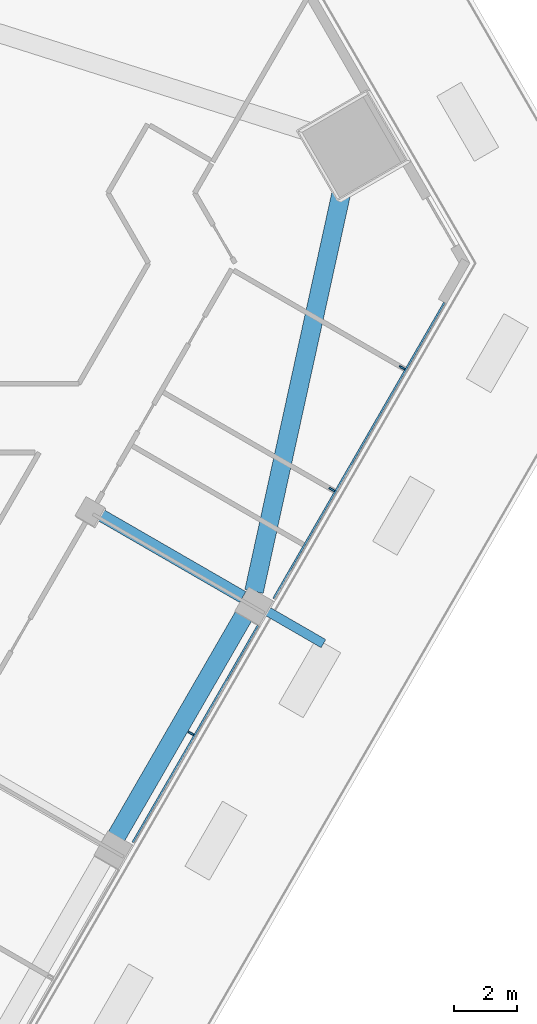
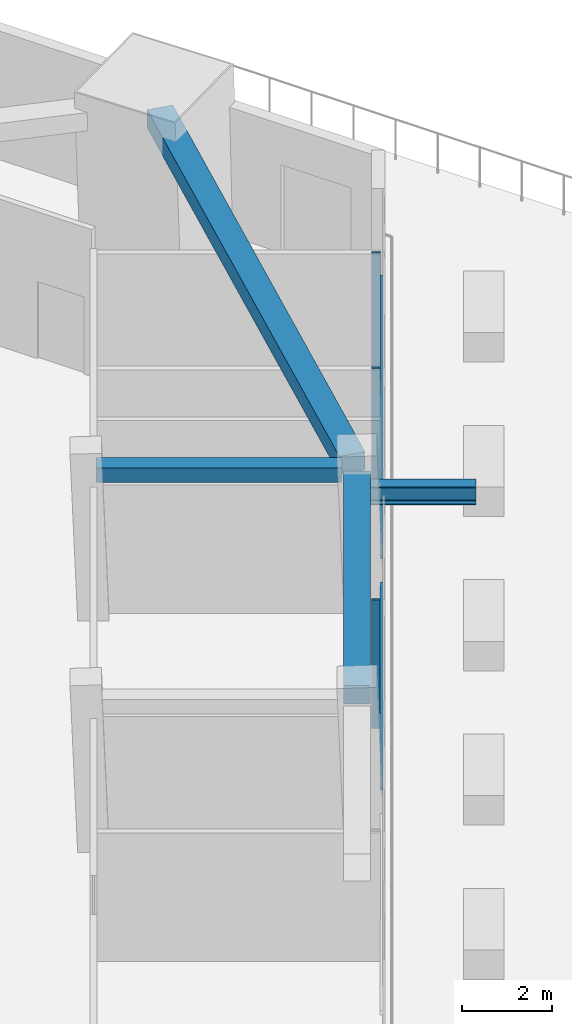
# One storey, part 5 of 15: 6 members, 3 beams, 1 element without a shape of its own.
"""IFC4 building model written with IfcOpenShell, lengths in metres."""

from ifc_helpers import new_model, si_unit, direction, frame, origin, origin_2d, place, context, subcontext, project, spatial, rectangle, i_section, extrude, material, layer, layer_set, material_profile, profile_set, type_object, element, aggregate, save


model = new_model("IFC4")

# Units and contexts
model_context = context("Model", 3, precision=1e-05, world=origin(), true_north=direction((0.0, 1.0)))
body_context = subcontext(model_context, "Body", "Model", "MODEL_VIEW")
ifc_project = project(units=[si_unit("LENGTHUNIT", "METRE"), si_unit("AREAUNIT", "SQUARE_METRE"), si_unit("VOLUMEUNIT", "CUBIC_METRE"), si_unit("PLANEANGLEUNIT", "RADIAN"), si_unit("MASSUNIT", "GRAM", prefix="KILO")], contexts=[model_context])

# Site, building, storey
site_placement = place(None, origin())
site = spatial("IfcSite", under=ifc_project, at=site_placement, CompositionType="ELEMENT")
building_placement = place(site_placement, origin())
building = spatial("IfcBuilding", under=site, at=building_placement, Name="Altiplano Prism Tower", CompositionType="ELEMENT")
storey_placement = place(building_placement, frame((0.0, 0.0, 22.5)))
storey = spatial("IfcBuildingStorey", under=building, at=storey_placement, Name="L04", CompositionType="ELEMENT", Elevation=22.5)

# Member
ifc_material_1 = material(Name="Steel S355", Category="steel")
ifc_material_profile_1 = material_profile(ifc_material_1, i_section(OverallWidth=0.300048828125, OverallDepth=0.5, WebThickness=0.014404296875, FlangeThickness=0.028076171875, FilletRadius=0.027099609375, at=origin_2d()), Name="Brace bracket HEB 500")
ifc_profile_set_1 = profile_set([ifc_material_profile_1], Name="Steel S355")
member_type_1 = type_object("IfcMemberType", Name="Brace bracket HEB 500", PredefinedType="STRUT", material=ifc_profile_set_1)
member_1_placement = place(storey_placement, frame((109.546875, 85.416259765625, 3.197265625), z_axis=(0.866029095148, -0.499993606316, 0.0), x_axis=(0.499993606316, 0.866029095148, 0.0)))
element("IfcMember", 1, at=member_1_placement, inside=storey, type_object=member_type_1, Name="Brace bracket 2.27", PredefinedType="STRUT", context=body_context, shape_type="SweptSolid", body=[
    extrude(i_section(OverallWidth=0.300048828125, OverallDepth=0.5, WebThickness=0.014404296875, FlangeThickness=0.028076171875, FilletRadius=0.027099609375, at=origin_2d()), origin(), (0.0, 0.0, 1.0), 2.64990234375),
])

# Curtain wall, members
ifc_material_2 = material(Name="Aluminium and glass", Category="aluminium")
ifc_layer = layer(ifc_material_2, 0.303955078125)
ifc_layer_set = layer_set([ifc_layer], Name="Aluminium and glass")
curtain_wall_type = type_object("IfcCurtainWallType", Name="CW2 lounge-band unitised glazing", PredefinedType="NOTDEFINED", material=ifc_layer_set)
curtain_wall_placement = place(storey_placement, origin())
curtain_wall = element("IfcCurtainWall", 2, at=curtain_wall_placement, inside=storey, type_object=curtain_wall_type, Name="CW2 glazing south-east face L04", PredefinedType="NOTDEFINED")
ifc_material_3 = material(Name="Aluminium", Category="aluminium")
ifc_material_profile_2 = material_profile(ifc_material_3, rectangle(XDim=0.199951171875, YDim=0.06005859375, at=origin_2d()), Name="CW2 mullion 60 x 200")
ifc_profile_set_2 = profile_set([ifc_material_profile_2], Name="Aluminium")
member_type_2 = type_object("IfcMemberType", Name="CW2 mullion 60 x 200", PredefinedType="MULLION", material=ifc_profile_set_2)
member_2_placement = place(storey_placement, frame((107.60986328125, 81.22314453125, 0.0), z_axis=(0.0, 0.0, 1.0), x_axis=(-0.86602540354, 0.500000000423, 0.0)))
member_2 = element("IfcMember", 3, at=member_2_placement, type_object=member_type_2, Name="CW2 mullion", PredefinedType="MULLION", context=body_context, shape_type="SweptSolid", body=[
    extrude(rectangle(XDim=0.199951171875, YDim=0.06005859375, at=origin_2d()), origin(), (0.0, 0.0, 1.0), 3.5),
])
member_3_placement = place(storey_placement, frame((112.10986328125, 89.017333984375, 0.0), z_axis=(0.0, 0.0, 1.0), x_axis=(-0.86602540354, 0.500000000423, 0.0)))
member_3 = element("IfcMember", 4, at=member_3_placement, type_object=member_type_2, Name="CW2 mullion", PredefinedType="MULLION", context=body_context, shape_type="SweptSolid", body=[
    extrude(rectangle(XDim=0.199951171875, YDim=0.06005859375, at=origin_2d()), origin(), (0.0, 0.0, 1.0), 3.5),
])
member_4_placement = place(storey_placement, frame((114.35986328125, 92.914306640625, 0.0), z_axis=(0.0, 0.0, 1.0), x_axis=(-0.86602540354, 0.500000000423, 0.0)))
member_4 = element("IfcMember", 5, at=member_4_placement, type_object=member_type_2, Name="CW2 mullion", PredefinedType="MULLION", context=body_context, shape_type="SweptSolid", body=[
    extrude(rectangle(XDim=0.199951171875, YDim=0.06005859375, at=origin_2d()), origin(), (0.0, 0.0, 1.0), 3.5),
])
ifc_material_profile_3 = material_profile(ifc_material_3, rectangle(XDim=0.06005859375, YDim=0.080078125, at=origin_2d()), Name="CW2 transom 80 x 60")
ifc_profile_set_3 = profile_set([ifc_material_profile_3], Name="Aluminium")
member_type_3 = type_object("IfcMemberType", Name="CW2 transom 80 x 60", PredefinedType="USERDEFINED", material=ifc_profile_set_3)
member_5_placement = place(storey_placement, frame((105.7470703125, 77.73681640625, 1.10009765625), z_axis=(0.500012163284, 0.866018381195, 0.0), x_axis=(-0.866018381195, 0.500012163284, 0.0)))
member_5 = element("IfcMember", 6, at=member_5_placement, type_object=member_type_3, Name="CW2 transom", ObjectType="TRANSOM", PredefinedType="USERDEFINED", context=body_context, shape_type="SweptSolid", body=[
    extrude(rectangle(XDim=0.06005859375, YDim=0.080078125, at=origin_2d()), origin(), (0.0, 0.0, 1.0), 7.999755859375),
])
member_6_placement = place(storey_placement, frame((110.2470703125, 85.531005859375, 1.10009765625), z_axis=(0.50001254828, 0.866018158911, 0.0), x_axis=(-0.866018158911, 0.50001254828, 0.0)))
member_6 = element("IfcMember", 7, at=member_6_placement, type_object=member_type_3, Name="CW2 transom", ObjectType="TRANSOM", PredefinedType="USERDEFINED", context=body_context, shape_type="SweptSolid", body=[
    extrude(rectangle(XDim=0.06005859375, YDim=0.080078125, at=origin_2d()), origin(), (0.0, 0.0, 1.0), 10.927490234375),
])
aggregate(curtain_wall, [member_2, member_5, member_3, member_4, member_6])

# Beams
ifc_material_4 = material(Name="Concrete C60/75", Category="concrete")
ifc_material_profile_4 = material_profile(ifc_material_4, rectangle(XDim=0.60009765625, YDim=0.5, at=origin_2d()), Name="Edge beam 600x500")
ifc_profile_set_4 = profile_set([ifc_material_profile_4], Name="Concrete C60/75")
beam_type_1 = type_object("IfcBeamType", Name="Edge beam 600x500", PredefinedType="SPANDREL", material=ifc_profile_set_4)
beam_1_placement = place(storey_placement, frame((109.622314453125, 85.760498046875, 3.75), z_axis=(0.214066373678, 0.976819117166, 0.0), x_axis=(-0.976819117166, 0.214066373678, 0.0)))
element("IfcBeam", 8, at=beam_1_placement, inside=storey, type_object=beam_type_1, Name="Edge beam P24-M2 L05", PredefinedType="SPANDREL", context=body_context, shape_type="SweptSolid", body=[
    extrude(rectangle(XDim=0.60009765625, YDim=0.5, at=origin_2d()), origin(), (0.0, 0.0, 1.0), 14.147705078125),
])
beam_2_placement = place(storey_placement, frame((105.2119140625, 77.907958984375, 3.75), z_axis=(0.499992746786, 0.866029591389, 0.0), x_axis=(-0.866029591389, 0.499992746786, 0.0)))
element("IfcBeam", 9, at=beam_2_placement, inside=storey, type_object=beam_type_1, Name="Edge beam P23-P24 L05", PredefinedType="SPANDREL", context=body_context, shape_type="SweptSolid", body=[
    extrude(rectangle(XDim=0.60009765625, YDim=0.5, at=origin_2d()), origin(), (0.0, 0.0, 1.0), 8.33984375),
])
ifc_material_profile_5 = material_profile(ifc_material_4, rectangle(XDim=0.39990234375, YDim=0.39990234375, at=origin_2d()), Name="Tie beam 400x400")
ifc_profile_set_5 = profile_set([ifc_material_profile_5], Name="Concrete C60/75")
beam_type_2 = type_object("IfcBeamType", Name="Tie beam 400x400", PredefinedType="BEAM", material=ifc_profile_set_5)
beam_3_placement = place(storey_placement, frame((104.506591796875, 88.326416015625, 3.800048828125), z_axis=(0.866012292785, -0.50002270823, 0.0), x_axis=(0.50002270823, 0.866012292785, 0.0)))
element("IfcBeam", 10, at=beam_3_placement, inside=storey, type_object=beam_type_2, Name="Tie beam I24 L05", PredefinedType="BEAM", context=body_context, shape_type="SweptSolid", body=[
    extrude(rectangle(XDim=0.39990234375, YDim=0.39990234375, at=origin_2d()), origin(), (0.0, 0.0, 1.0), 5.489990234375),
])

save(model, "model.ifc")
